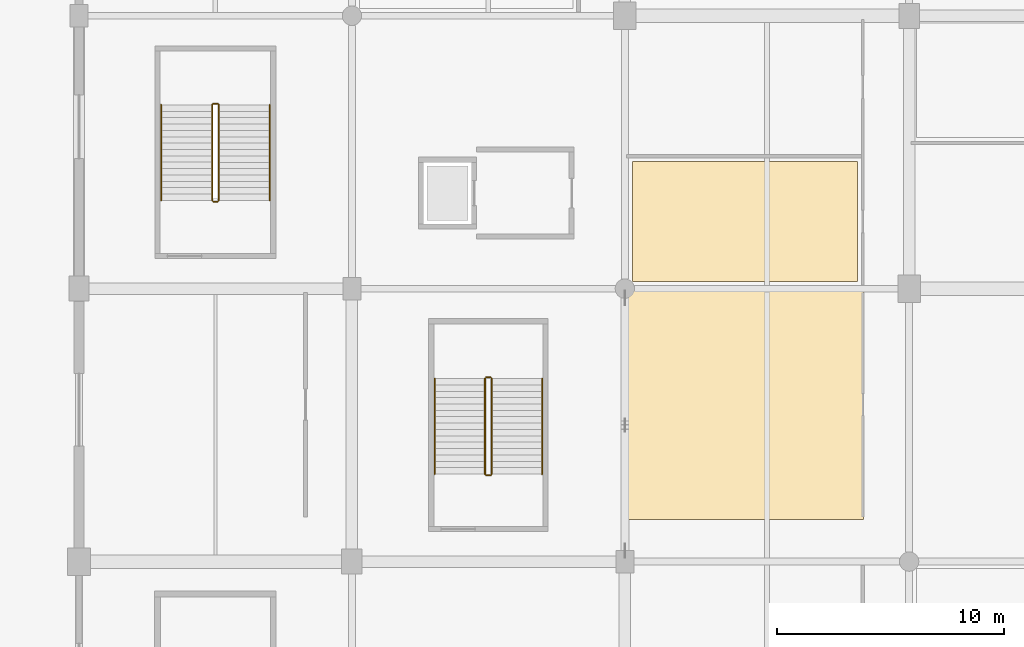
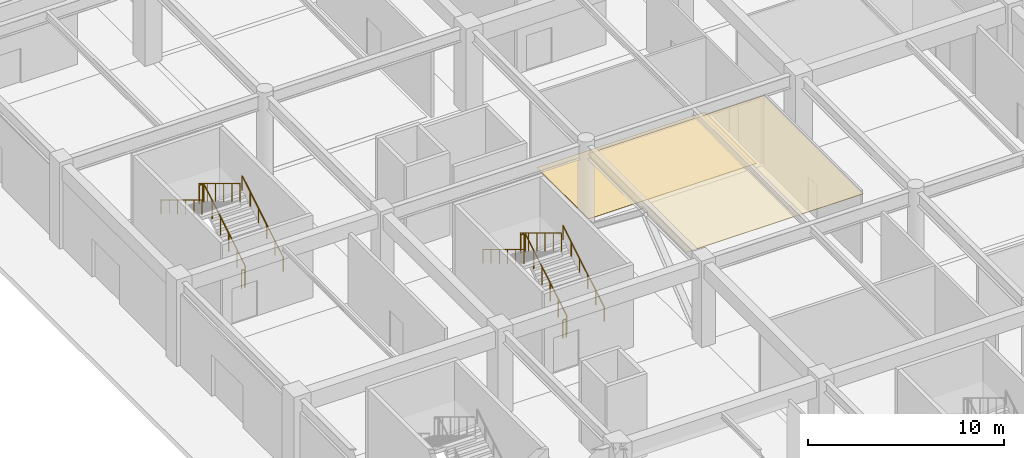
# One storey, part 48 of 69: 12 railings, 2 coverings.
"""IFC4 building model written with IfcOpenShell, lengths in metres."""

from ifc_helpers import new_model, si_unit, direction, frame, origin, origin_2d, place, context, subcontext, project, spatial, polyline, circle, outline, extrude, material, layer, layer_set, type_object, element, save


model = new_model("IFC4")

# Units and contexts
model_context = context("Model", 3, precision=1e-05, world=origin(), true_north=direction((0.0, 1.0)))
body_context = subcontext(model_context, "Body", "Model", "MODEL_VIEW")
ifc_project = project(units=[si_unit("LENGTHUNIT", "METRE"), si_unit("AREAUNIT", "SQUARE_METRE"), si_unit("VOLUMEUNIT", "CUBIC_METRE"), si_unit("PLANEANGLEUNIT", "RADIAN"), si_unit("MASSUNIT", "GRAM", prefix="KILO")], contexts=[model_context])

# Site, building, storey
site_placement = place(None, origin())
site = spatial("IfcSite", under=ifc_project, at=site_placement, CompositionType="ELEMENT")
building_placement = place(site_placement, origin())
building = spatial("IfcBuilding", under=site, at=building_placement, Name="Kazenohara Klinker Stadium", CompositionType="ELEMENT")
storey_placement = place(building_placement, origin())
storey = spatial("IfcBuildingStorey", under=building, at=storey_placement, Name="L00", CompositionType="ELEMENT", Elevation=0.0)

# Coverings
ifc_material_1 = material(Name="Perforated acoustic mineral-fibre ceiling tile", Category="gypsum")
ifc_layer_1 = layer(ifc_material_1, 0.030029296875)
ifc_layer_set_1 = layer_set([ifc_layer_1], Name="Perforated acoustic mineral-fibre ceiling tile")
covering_type_1 = type_object("IfcCoveringType", Name="COV-CEIL-01", PredefinedType="CEILING", material=ifc_layer_set_1)
covering_1_placement = place(storey_placement, frame((0.0, 0.0, 4.35009765625)))
element("IfcCovering", 1, at=covering_1_placement, inside=storey, type_object=covering_type_1, Name="Suspended acoustic ceiling CL01 Spectator First-Aid Medical Clinic L00-0208A", PredefinedType="CEILING", context=body_context, shape_type="SweptSolid", body=[
    extrude(outline(polyline([(24.06005859375, 97.85009765625), (34.489990234375, 97.85009765625), (34.489990234375, 107.9599609375), (24.06005859375, 107.9599609375), (24.06005859375, 97.85009765625)])), origin(), (0.0, 0.0, 1.0), 0.02978515625),
])
ifc_material_2 = material(Name="Cushioned EPDM sports rubber flooring", Category="rubber")
ifc_layer_2 = layer(ifc_material_2, 0.014892578125)
ifc_layer_set_2 = layer_set([ifc_layer_2], Name="Cushioned EPDM sports rubber flooring")
covering_type_2 = type_object("IfcCoveringType", Name="COV-FLR-02", PredefinedType="FLOORING", material=ifc_layer_set_2)
covering_2_placement = place(storey_placement, origin())
element("IfcCovering", 2, at=covering_2_placement, inside=storey, type_object=covering_type_2, Name="Interior floor finish FL02 Civic Stadium Heritage Museum Exhibition Gallery L00-0209A", PredefinedType="FLOORING", context=body_context, shape_type="SweptSolid", body=[
    extrude(outline(polyline([(24.330078125, 108.31005859375), (34.219970703125, 108.31005859375), (34.219970703125, 113.5947265625), (24.330078125, 113.5947265625), (24.330078125, 108.31005859375)])), origin(), (0.0, 0.0, 1.0), 0.014892578125),
])

# Railings
ifc_material_3 = material(Name="Brushed stainless steel 304 handrail", Category="steel")
ifc_layer_3 = layer(ifc_material_3, 0.050048828125)
ifc_layer_set_3 = layer_set([ifc_layer_3], Name="Brushed stainless steel 304 handrail")
railing_type_1 = type_object("IfcRailingType", Name="RL-HND-900", PredefinedType="HANDRAIL", material=ifc_layer_set_3)
railing_1_placement = place(storey_placement, frame((8.389892578125, 111.8798828125, 0.168701171875)))
element("IfcRailing", 3, at=railing_1_placement, inside=storey, type_object=railing_type_1, Name="L00 ST04 stair handrail 1", PredefinedType="HANDRAIL", context=body_context, shape_type="SweptSolid", body=[
    extrude(circle(Radius=0.02392578125, at=origin_2d()), frame((0.0, 0.0, 0.8759765625), z_axis=(0.0, 0.856489757249, 0.516164020179), x_axis=(-1.0, 0.0, 0.0)), (0.0, 0.0, 1.0), 4.904052734375),
    extrude(circle(Radius=0.02099609375, at=origin_2d()), origin(), (0.0, 0.0, 1.0), 0.851806640625),
    extrude(circle(Radius=0.02099609375, at=origin_2d()), frame((0.0, 0.840087890625, 0.50634765625)), (0.0, 0.0, 1.0), 0.851806640625),
    extrude(circle(Radius=0.02099609375, at=origin_2d()), frame((0.0, 1.68017578125, 1.012451171875)), (0.0, 0.0, 1.0), 0.851806640625),
    extrude(circle(Radius=0.02099609375, at=origin_2d()), frame((0.0, 2.52001953125, 1.518798828125)), (0.0, 0.0, 1.0), 0.851806640625),
    extrude(circle(Radius=0.02099609375, at=origin_2d()), frame((0.0, 3.360107421875, 2.02490234375)), (0.0, 0.0, 1.0), 0.851806640625),
    extrude(circle(Radius=0.02099609375, at=origin_2d()), frame((0.0, 4.2001953125, 2.53125)), (0.0, 0.0, 1.0), 0.851806640625),
])
railing_2_placement = place(storey_placement, frame((3.610107421875, 116.080078125, 2.86865234375)))
element("IfcRailing", 4, at=railing_2_placement, inside=storey, type_object=railing_type_1, Name="L00 ST04 stair handrail 2", PredefinedType="HANDRAIL", context=body_context, shape_type="SweptSolid", body=[
    extrude(circle(Radius=0.02392578125, at=origin_2d()), frame((0.0, 0.0, 0.8759765625), z_axis=(0.0, -0.856489757249, 0.516164020179), x_axis=(1.0, 0.0, 0.0)), (0.0, 0.0, 1.0), 4.904052734375),
    extrude(circle(Radius=0.02099609375, at=origin_2d()), origin(), (0.0, 0.0, 1.0), 0.851806640625),
    extrude(circle(Radius=0.02099609375, at=origin_2d()), frame((0.0, -0.840087890625, 0.50634765625)), (0.0, 0.0, 1.0), 0.851806640625),
    extrude(circle(Radius=0.02099609375, at=origin_2d()), frame((0.0, -1.68017578125, 1.012451171875)), (0.0, 0.0, 1.0), 0.851806640625),
    extrude(circle(Radius=0.02099609375, at=origin_2d()), frame((0.0, -2.52001953125, 1.518798828125)), (0.0, 0.0, 1.0), 0.851806640625),
    extrude(circle(Radius=0.02099609375, at=origin_2d()), frame((0.0, -3.360107421875, 2.02490234375)), (0.0, 0.0, 1.0), 0.851806640625),
    extrude(circle(Radius=0.02099609375, at=origin_2d()), frame((0.0, -4.2001953125, 2.53125)), (0.0, 0.0, 1.0), 0.851806640625),
])
railing_3_placement = place(storey_placement, frame((20.360107421875, 99.85009765625, 0.168701171875)))
element("IfcRailing", 5, at=railing_3_placement, inside=storey, type_object=railing_type_1, Name="L00 ST14 stair handrail 1", PredefinedType="HANDRAIL", context=body_context, shape_type="SweptSolid", body=[
    extrude(circle(Radius=0.02392578125, at=origin_2d()), frame((0.0, 0.0, 0.8759765625), z_axis=(0.0, 0.856476492594, 0.516186030065), x_axis=(-1.0, 0.0, 0.0)), (0.0, 0.0, 1.0), 4.90380859375),
    extrude(circle(Radius=0.02099609375, at=origin_2d()), origin(), (0.0, 0.0, 1.0), 0.851806640625),
    extrude(circle(Radius=0.02099609375, at=origin_2d()), frame((0.0, 0.840087890625, 0.50634765625)), (0.0, 0.0, 1.0), 0.851806640625),
    extrude(circle(Radius=0.02099609375, at=origin_2d()), frame((0.0, 1.679931640625, 1.012451171875)), (0.0, 0.0, 1.0), 0.851806640625),
    extrude(circle(Radius=0.02099609375, at=origin_2d()), frame((0.0, 2.52001953125, 1.518798828125)), (0.0, 0.0, 1.0), 0.851806640625),
    extrude(circle(Radius=0.02099609375, at=origin_2d()), frame((0.0, 3.35986328125, 2.02490234375)), (0.0, 0.0, 1.0), 0.851806640625),
    extrude(circle(Radius=0.02099609375, at=origin_2d()), frame((0.0, 4.199951171875, 2.53125)), (0.0, 0.0, 1.0), 0.851806640625),
])
railing_4_placement = place(storey_placement, frame((15.639892578125, 104.050048828125, 2.86865234375)))
element("IfcRailing", 6, at=railing_4_placement, inside=storey, type_object=railing_type_1, Name="L00 ST14 stair handrail 2", PredefinedType="HANDRAIL", context=body_context, shape_type="SweptSolid", body=[
    extrude(circle(Radius=0.02392578125, at=origin_2d()), frame((0.0, 0.0, 0.8759765625), z_axis=(0.0, -0.856476492594, 0.516186030065), x_axis=(1.0, 0.0, 0.0)), (0.0, 0.0, 1.0), 4.90380859375),
    extrude(circle(Radius=0.02099609375, at=origin_2d()), origin(), (0.0, 0.0, 1.0), 0.851806640625),
    extrude(circle(Radius=0.02099609375, at=origin_2d()), frame((0.0, -0.840087890625, 0.50634765625)), (0.0, 0.0, 1.0), 0.851806640625),
    extrude(circle(Radius=0.02099609375, at=origin_2d()), frame((0.0, -1.679931640625, 1.012451171875)), (0.0, 0.0, 1.0), 0.851806640625),
    extrude(circle(Radius=0.02099609375, at=origin_2d()), frame((0.0, -2.52001953125, 1.518798828125)), (0.0, 0.0, 1.0), 0.851806640625),
    extrude(circle(Radius=0.02099609375, at=origin_2d()), frame((0.0, -3.35986328125, 2.02490234375)), (0.0, 0.0, 1.0), 0.851806640625),
    extrude(circle(Radius=0.02099609375, at=origin_2d()), frame((0.0, -4.199951171875, 2.53125)), (0.0, 0.0, 1.0), 0.851806640625),
])
ifc_material_4 = material(Name="Painted steel stairwell guardrail", Category="steel")
ifc_layer_4 = layer(ifc_material_4, 0.06005859375)
ifc_layer_set_4 = layer_set([ifc_layer_4], Name="Painted steel stairwell guardrail")
railing_type_2 = type_object("IfcRailingType", Name="RL-STG-1120", PredefinedType="GUARDRAIL", material=ifc_layer_set_4)
railing_5_placement = place(storey_placement, frame((6.14990234375, 111.8798828125, 0.168701171875)))
element("IfcRailing", 7, at=railing_5_placement, inside=storey, type_object=railing_type_2, Name="L00 ST04 stair guard 1", PredefinedType="GUARDRAIL", context=body_context, shape_type="SweptSolid", body=[
    extrude(circle(Radius=0.02392578125, at=origin_2d()), frame((0.0, 0.0, 1.1259765625), z_axis=(0.0, 0.856489757249, 0.516164020179), x_axis=(-1.0, 0.0, 0.0)), (0.0, 0.0, 1.0), 4.904052734375),
    extrude(circle(Radius=0.02099609375, at=origin_2d()), origin(), (0.0, 0.0, 1.0), 1.101806640625),
    extrude(circle(Radius=0.02099609375, at=origin_2d()), frame((0.0, 0.840087890625, 0.50634765625)), (0.0, 0.0, 1.0), 1.101806640625),
    extrude(circle(Radius=0.02099609375, at=origin_2d()), frame((0.0, 1.68017578125, 1.012451171875)), (0.0, 0.0, 1.0), 1.101806640625),
    extrude(circle(Radius=0.02099609375, at=origin_2d()), frame((0.0, 2.52001953125, 1.518798828125)), (0.0, 0.0, 1.0), 1.101806640625),
    extrude(circle(Radius=0.02099609375, at=origin_2d()), frame((0.0, 3.360107421875, 2.02490234375)), (0.0, 0.0, 1.0), 1.101806640625),
    extrude(circle(Radius=0.02099609375, at=origin_2d()), frame((0.0, 4.2001953125, 2.53125)), (0.0, 0.0, 1.0), 1.101806640625),
])
railing_6_placement = place(storey_placement, frame((6.10009765625, 116.1298828125, 2.699951171875)))
element("IfcRailing", 8, at=railing_6_placement, inside=storey, type_object=railing_type_2, Name="L00 ST04 stair guard 2", PredefinedType="GUARDRAIL", context=body_context, shape_type="SweptSolid", body=[
    extrude(circle(Radius=0.02392578125, at=origin_2d()), frame((0.0, 0.0, 1.1259765625), z_axis=(-1.0, 0.0, 0.0), x_axis=(0.0, -1.0, 0.0)), (0.0, 0.0, 1.0), 0.2001953125),
    extrude(circle(Radius=0.02099609375, at=origin_2d()), origin(), (0.0, 0.0, 1.0), 1.101806640625),
    extrude(circle(Radius=0.02099609375, at=origin_2d()), frame((-0.2001953125, 0.0, 0.0)), (0.0, 0.0, 1.0), 1.101806640625),
])
railing_7_placement = place(storey_placement, frame((5.85009765625, 116.080078125, 2.86865234375)))
element("IfcRailing", 9, at=railing_7_placement, inside=storey, type_object=railing_type_2, Name="L00 ST04 stair guard 3", PredefinedType="GUARDRAIL", context=body_context, shape_type="SweptSolid", body=[
    extrude(circle(Radius=0.02392578125, at=origin_2d()), frame((0.0, 0.0, 1.1259765625), z_axis=(0.0, -0.856489757249, 0.516164020179), x_axis=(1.0, 0.0, 0.0)), (0.0, 0.0, 1.0), 4.904052734375),
    extrude(circle(Radius=0.02099609375, at=origin_2d()), origin(), (0.0, 0.0, 1.0), 1.101806640625),
    extrude(circle(Radius=0.02099609375, at=origin_2d()), frame((0.0, -0.840087890625, 0.50634765625)), (0.0, 0.0, 1.0), 1.101806640625),
    extrude(circle(Radius=0.02099609375, at=origin_2d()), frame((0.0, -1.68017578125, 1.012451171875)), (0.0, 0.0, 1.0), 1.101806640625),
    extrude(circle(Radius=0.02099609375, at=origin_2d()), frame((0.0, -2.52001953125, 1.518798828125)), (0.0, 0.0, 1.0), 1.101806640625),
    extrude(circle(Radius=0.02099609375, at=origin_2d()), frame((0.0, -3.360107421875, 2.02490234375)), (0.0, 0.0, 1.0), 1.101806640625),
    extrude(circle(Radius=0.02099609375, at=origin_2d()), frame((0.0, -4.2001953125, 2.53125)), (0.0, 0.0, 1.0), 1.101806640625),
])
railing_8_placement = place(storey_placement, frame((6.10009765625, 111.830078125, 0.0)))
element("IfcRailing", 10, at=railing_8_placement, inside=storey, type_object=railing_type_2, Name="L00 ST04 stair guard 4", PredefinedType="GUARDRAIL", context=body_context, shape_type="SweptSolid", body=[
    extrude(circle(Radius=0.02392578125, at=origin_2d()), frame((0.0, 0.0, 1.1259765625), z_axis=(-1.0, 0.0, 0.0), x_axis=(0.0, -1.0, 0.0)), (0.0, 0.0, 1.0), 0.2001953125),
    extrude(circle(Radius=0.02099609375, at=origin_2d()), origin(), (0.0, 0.0, 1.0), 1.101806640625),
    extrude(circle(Radius=0.02099609375, at=origin_2d()), frame((-0.2001953125, 0.0, 0.0)), (0.0, 0.0, 1.0), 1.101806640625),
])
railing_9_placement = place(storey_placement, frame((18.14990234375, 99.85009765625, 0.168701171875)))
element("IfcRailing", 11, at=railing_9_placement, inside=storey, type_object=railing_type_2, Name="L00 ST14 stair guard 1", PredefinedType="GUARDRAIL", context=body_context, shape_type="SweptSolid", body=[
    extrude(circle(Radius=0.02392578125, at=origin_2d()), frame((0.0, 0.0, 1.1259765625), z_axis=(0.0, 0.856476492594, 0.516186030065), x_axis=(-1.0, 0.0, 0.0)), (0.0, 0.0, 1.0), 4.90380859375),
    extrude(circle(Radius=0.02099609375, at=origin_2d()), origin(), (0.0, 0.0, 1.0), 1.101806640625),
    extrude(circle(Radius=0.02099609375, at=origin_2d()), frame((0.0, 0.840087890625, 0.50634765625)), (0.0, 0.0, 1.0), 1.101806640625),
    extrude(circle(Radius=0.02099609375, at=origin_2d()), frame((0.0, 1.679931640625, 1.012451171875)), (0.0, 0.0, 1.0), 1.101806640625),
    extrude(circle(Radius=0.02099609375, at=origin_2d()), frame((0.0, 2.52001953125, 1.518798828125)), (0.0, 0.0, 1.0), 1.101806640625),
    extrude(circle(Radius=0.02099609375, at=origin_2d()), frame((0.0, 3.35986328125, 2.02490234375)), (0.0, 0.0, 1.0), 1.101806640625),
    extrude(circle(Radius=0.02099609375, at=origin_2d()), frame((0.0, 4.199951171875, 2.53125)), (0.0, 0.0, 1.0), 1.101806640625),
])
railing_10_placement = place(storey_placement, frame((18.10009765625, 104.10009765625, 2.699951171875)))
element("IfcRailing", 12, at=railing_10_placement, inside=storey, type_object=railing_type_2, Name="L00 ST14 stair guard 2", PredefinedType="GUARDRAIL", context=body_context, shape_type="SweptSolid", body=[
    extrude(circle(Radius=0.02392578125, at=origin_2d()), frame((0.0, 0.0, 1.1259765625), z_axis=(-1.0, 0.0, 0.0), x_axis=(0.0, -1.0, 0.0)), (0.0, 0.0, 1.0), 0.2001953125),
    extrude(circle(Radius=0.02099609375, at=origin_2d()), origin(), (0.0, 0.0, 1.0), 1.101806640625),
    extrude(circle(Radius=0.02099609375, at=origin_2d()), frame((-0.2001953125, 0.0, 0.0)), (0.0, 0.0, 1.0), 1.101806640625),
])
railing_11_placement = place(storey_placement, frame((17.85009765625, 104.050048828125, 2.86865234375)))
element("IfcRailing", 13, at=railing_11_placement, inside=storey, type_object=railing_type_2, Name="L00 ST14 stair guard 3", PredefinedType="GUARDRAIL", context=body_context, shape_type="SweptSolid", body=[
    extrude(circle(Radius=0.02392578125, at=origin_2d()), frame((0.0, 0.0, 1.1259765625), z_axis=(0.0, -0.856476492594, 0.516186030065), x_axis=(1.0, 0.0, 0.0)), (0.0, 0.0, 1.0), 4.90380859375),
    extrude(circle(Radius=0.02099609375, at=origin_2d()), origin(), (0.0, 0.0, 1.0), 1.101806640625),
    extrude(circle(Radius=0.02099609375, at=origin_2d()), frame((0.0, -0.840087890625, 0.50634765625)), (0.0, 0.0, 1.0), 1.101806640625),
    extrude(circle(Radius=0.02099609375, at=origin_2d()), frame((0.0, -1.679931640625, 1.012451171875)), (0.0, 0.0, 1.0), 1.101806640625),
    extrude(circle(Radius=0.02099609375, at=origin_2d()), frame((0.0, -2.52001953125, 1.518798828125)), (0.0, 0.0, 1.0), 1.101806640625),
    extrude(circle(Radius=0.02099609375, at=origin_2d()), frame((0.0, -3.35986328125, 2.02490234375)), (0.0, 0.0, 1.0), 1.101806640625),
    extrude(circle(Radius=0.02099609375, at=origin_2d()), frame((0.0, -4.199951171875, 2.53125)), (0.0, 0.0, 1.0), 1.101806640625),
])
railing_12_placement = place(storey_placement, frame((18.10009765625, 99.800048828125, 0.0)))
element("IfcRailing", 14, at=railing_12_placement, inside=storey, type_object=railing_type_2, Name="L00 ST14 stair guard 4", PredefinedType="GUARDRAIL", context=body_context, shape_type="SweptSolid", body=[
    extrude(circle(Radius=0.02392578125, at=origin_2d()), frame((0.0, 0.0, 1.1259765625), z_axis=(-1.0, 0.0, 0.0), x_axis=(0.0, -1.0, 0.0)), (0.0, 0.0, 1.0), 0.2001953125),
    extrude(circle(Radius=0.02099609375, at=origin_2d()), origin(), (0.0, 0.0, 1.0), 1.101806640625),
    extrude(circle(Radius=0.02099609375, at=origin_2d()), frame((-0.2001953125, 0.0, 0.0)), (0.0, 0.0, 1.0), 1.101806640625),
])

save(model, "model.ifc")
